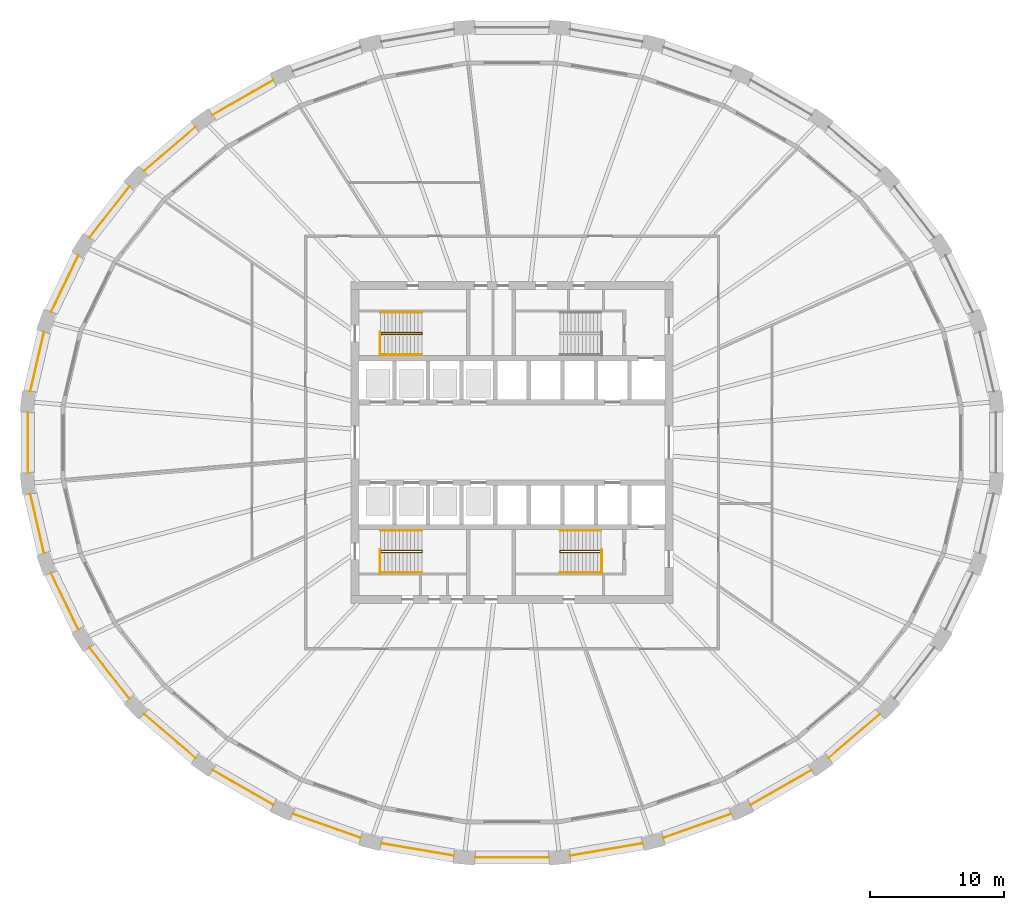
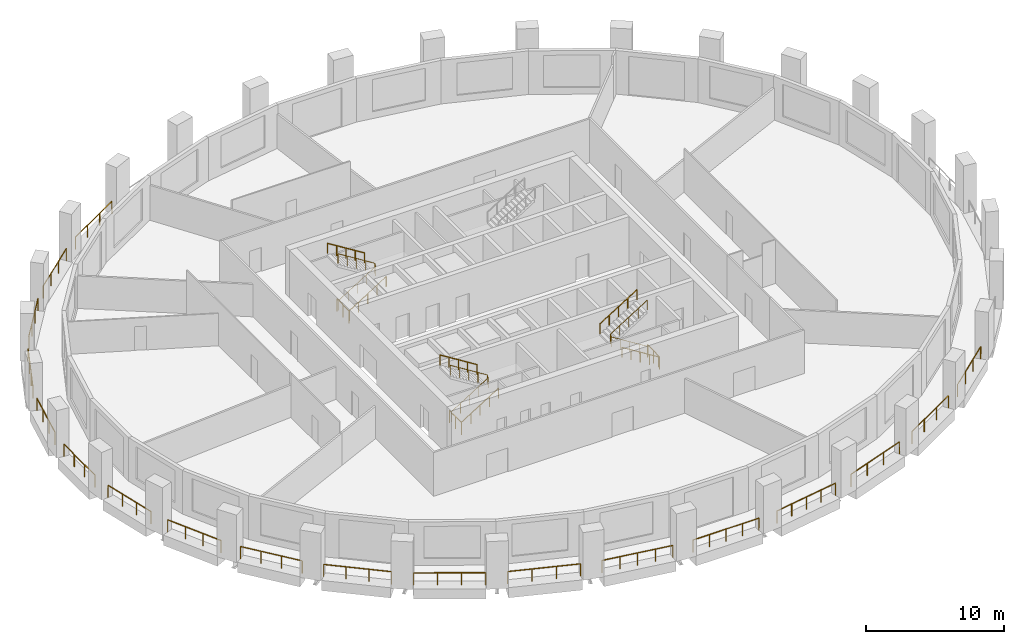
# One storey, part 8 of 10: 30 railings.
"""IFC4 building model written with IfcOpenShell, lengths in metres."""

from ifc_helpers import new_model, si_unit, direction, frame, origin, origin_2d, place, context, subcontext, project, spatial, circle, extrude, material, type_object, element, save


model = new_model("IFC4")

# Units and contexts
model_context = context("Model", 3, precision=1e-05, world=origin(), true_north=direction((0.0, 1.0)))
body_context = subcontext(model_context, "Body", "Model", "MODEL_VIEW")
ifc_project = project(units=[si_unit("LENGTHUNIT", "METRE"), si_unit("AREAUNIT", "SQUARE_METRE"), si_unit("VOLUMEUNIT", "CUBIC_METRE"), si_unit("PLANEANGLEUNIT", "RADIAN"), si_unit("MASSUNIT", "GRAM", prefix="KILO")], contexts=[model_context])

# Site, building, storey
site_placement = place(None, origin())
site = spatial("IfcSite", under=ifc_project, at=site_placement, CompositionType="ELEMENT")
building_placement = place(site_placement, origin())
building = spatial("IfcBuilding", under=site, at=building_placement, Name="Halqa Exchange Tower", CompositionType="ELEMENT")
storey_placement = place(building_placement, frame((0.0, 0.0, 94.89990234375)))
storey = spatial("IfcBuildingStorey", under=building, at=storey_placement, Name="L21", CompositionType="ELEMENT", Elevation=94.89990234375)

# Railings
ifc_material = material(Name="Stainless steel", Category="steel")
railing_type_1 = type_object("IfcRailingType", Name="Guard 1100 stainless steel", PredefinedType="GUARDRAIL", material=ifc_material)
railing_1_placement = place(storey_placement, frame((-17.801025390625, 27.034912109375, 0.0)))
element("IfcRailing", 1, at=railing_1_placement, inside=storey, type_object=railing_type_1, Name="Loggia guard 11", PredefinedType="GUARDRAIL", context=body_context, shape_type="SweptSolid", body=[
    extrude(circle(Radius=0.02392578125, at=origin_2d()), frame((0.0, 0.0, 1.076171875), z_axis=(-0.867755983437, -0.496990496096, 0.0), x_axis=(0.496990496096, -0.867755983437, 0.0)), (0.0, 0.0, 1.0), 5.216552734375),
    extrude(circle(Radius=0.02099609375, at=origin_2d()), origin(), (0.0, 0.0, 1.0), 1.052001953125),
    extrude(circle(Radius=0.02099609375, at=origin_2d()), frame((-1.5087890625, -0.8642578125, 0.0)), (0.0, 0.0, 1.0), 1.052001953125),
    extrude(circle(Radius=0.02099609375, at=origin_2d()), frame((-3.017822265625, -1.728271484375, 0.0)), (0.0, 0.0, 1.0), 1.052001953125),
    extrude(circle(Radius=0.02099609375, at=origin_2d()), frame((-4.526611328125, -2.592529296875, 0.0)), (0.0, 0.0, 1.0), 1.052001953125),
])
railing_2_placement = place(storey_placement, frame((-23.629150390625, 23.524169921875, 0.0)))
element("IfcRailing", 2, at=railing_2_placement, inside=storey, type_object=railing_type_1, Name="Loggia guard 12", PredefinedType="GUARDRAIL", context=body_context, shape_type="SweptSolid", body=[
    extrude(circle(Radius=0.02392578125, at=origin_2d()), frame((0.0, 0.0, 1.076171875), z_axis=(-0.759263460736, -0.650783371938, 0.0), x_axis=(0.650783371938, -0.759263460736, 0.0)), (0.0, 0.0, 1.0), 5.025390625),
    extrude(circle(Radius=0.02099609375, at=origin_2d()), origin(), (0.0, 0.0, 1.0), 1.052001953125),
    extrude(circle(Radius=0.02099609375, at=origin_2d()), frame((-1.27197265625, -1.090087890625, 0.0)), (0.0, 0.0, 1.0), 1.052001953125),
    extrude(circle(Radius=0.02099609375, at=origin_2d()), frame((-2.543701171875, -2.180419921875, 0.0)), (0.0, 0.0, 1.0), 1.052001953125),
    extrude(circle(Radius=0.02099609375, at=origin_2d()), frame((-3.815673828125, -3.2705078125, 0.0)), (0.0, 0.0, 1.0), 1.052001953125),
])
railing_3_placement = place(storey_placement, frame((-28.5439453125, 19.10205078125, 0.0)))
element("IfcRailing", 3, at=railing_3_placement, inside=storey, type_object=railing_type_1, Name="Loggia guard 13", PredefinedType="GUARDRAIL", context=body_context, shape_type="SweptSolid", body=[
    extrude(circle(Radius=0.02392578125, at=origin_2d()), frame((0.0, 0.0, 1.076171875), z_axis=(-0.614804814525, -0.788679301133, 0.0), x_axis=(0.788679301133, -0.614804814525, 0.0)), (0.0, 0.0, 1.0), 4.828857421875),
    extrude(circle(Radius=0.02099609375, at=origin_2d()), origin(), (0.0, 0.0, 1.0), 1.052001953125),
    extrude(circle(Radius=0.02099609375, at=origin_2d()), frame((-0.989501953125, -1.26953125, 0.0)), (0.0, 0.0, 1.0), 1.052001953125),
    extrude(circle(Radius=0.02099609375, at=origin_2d()), frame((-1.979248046875, -2.538818359375, 0.0)), (0.0, 0.0, 1.0), 1.052001953125),
    extrude(circle(Radius=0.02099609375, at=origin_2d()), frame((-2.96875, -3.808349609375, 0.0)), (0.0, 0.0, 1.0), 1.052001953125),
])
railing_4_placement = place(storey_placement, frame((-32.3525390625, 13.942626953125, 0.0)))
element("IfcRailing", 4, at=railing_4_placement, inside=storey, type_object=railing_type_1, Name="Loggia guard 14", PredefinedType="GUARDRAIL", context=body_context, shape_type="SweptSolid", body=[
    extrude(circle(Radius=0.02392578125, at=origin_2d()), frame((0.0, 0.0, 1.076171875), z_axis=(-0.435136078438, -0.900364700131, 0.0), x_axis=(0.900364700131, -0.435136078438, 0.0)), (0.0, 0.0, 1.0), 4.65673828125),
    extrude(circle(Radius=0.02099609375, at=origin_2d()), origin(), (0.0, 0.0, 1.0), 1.052001953125),
    extrude(circle(Radius=0.02099609375, at=origin_2d()), frame((-0.675537109375, -1.397705078125, 0.0)), (0.0, 0.0, 1.0), 1.052001953125),
    extrude(circle(Radius=0.02099609375, at=origin_2d()), frame((-1.350830078125, -2.795166015625, 0.0)), (0.0, 0.0, 1.0), 1.052001953125),
    extrude(circle(Radius=0.02099609375, at=origin_2d()), frame((-2.0263671875, -4.19287109375, 0.0)), (0.0, 0.0, 1.0), 1.052001953125),
])
railing_5_placement = place(storey_placement, frame((-34.90771484375, 8.25, 0.0)))
element("IfcRailing", 5, at=railing_5_placement, inside=storey, type_object=railing_type_1, Name="Loggia guard 15", PredefinedType="GUARDRAIL", context=body_context, shape_type="SweptSolid", body=[
    extrude(circle(Radius=0.02392578125, at=origin_2d()), frame((0.0, 0.0, 1.076171875), z_axis=(-0.226049512148, -0.974115813473, 0.0), x_axis=(0.974115813473, -0.226049512148, 0.0)), (0.0, 0.0, 1.0), 4.539306640625),
    extrude(circle(Radius=0.02099609375, at=origin_2d()), origin(), (0.0, 0.0, 1.0), 1.052001953125),
    extrude(circle(Radius=0.02099609375, at=origin_2d()), frame((-0.342041015625, -1.473876953125, 0.0)), (0.0, 0.0, 1.0), 1.052001953125),
    extrude(circle(Radius=0.02099609375, at=origin_2d()), frame((-0.68408203125, -2.947998046875, 0.0)), (0.0, 0.0, 1.0), 1.052001953125),
    extrude(circle(Radius=0.02099609375, at=origin_2d()), frame((-1.026123046875, -4.421875, 0.0)), (0.0, 0.0, 1.0), 1.052001953125),
])
railing_6_placement = place(storey_placement, frame((-36.11474609375, 2.248779296875, 0.0)))
element("IfcRailing", 6, at=railing_6_placement, inside=storey, type_object=railing_type_1, Name="Loggia guard 16", PredefinedType="GUARDRAIL", context=body_context, shape_type="SweptSolid", body=[
    extrude(circle(Radius=0.02392578125, at=origin_2d()), frame((0.0, 0.0, 1.076171875), z_axis=(0.0, -1.0, 0.0), x_axis=(1.0, 0.0, 0.0)), (0.0, 0.0, 1.0), 4.49755859375),
    extrude(circle(Radius=0.02099609375, at=origin_2d()), origin(), (0.0, 0.0, 1.0), 1.052001953125),
    extrude(circle(Radius=0.02099609375, at=origin_2d()), frame((0.0, -1.499267578125, 0.0)), (0.0, 0.0, 1.0), 1.052001953125),
    extrude(circle(Radius=0.02099609375, at=origin_2d()), frame((0.0, -2.998291015625, 0.0)), (0.0, 0.0, 1.0), 1.052001953125),
    extrude(circle(Radius=0.02099609375, at=origin_2d()), frame((0.0, -4.49755859375, 0.0)), (0.0, 0.0, 1.0), 1.052001953125),
])
railing_7_placement = place(storey_placement, frame((-35.933837890625, -3.828125, 0.0)))
element("IfcRailing", 7, at=railing_7_placement, inside=storey, type_object=railing_type_1, Name="Loggia guard 17", PredefinedType="GUARDRAIL", context=body_context, shape_type="SweptSolid", body=[
    extrude(circle(Radius=0.02392578125, at=origin_2d()), frame((0.0, 0.0, 1.076171875), z_axis=(0.226049512148, -0.974115813473, 0.0), x_axis=(0.974115813473, 0.226049512148, 0.0)), (0.0, 0.0, 1.0), 4.539306640625),
    extrude(circle(Radius=0.02099609375, at=origin_2d()), origin(), (0.0, 0.0, 1.0), 1.052001953125),
    extrude(circle(Radius=0.02099609375, at=origin_2d()), frame((0.342041015625, -1.473876953125, 0.0)), (0.0, 0.0, 1.0), 1.052001953125),
    extrude(circle(Radius=0.02099609375, at=origin_2d()), frame((0.68408203125, -2.947998046875, 0.0)), (0.0, 0.0, 1.0), 1.052001953125),
    extrude(circle(Radius=0.02099609375, at=origin_2d()), frame((1.026123046875, -4.421875, 0.0)), (0.0, 0.0, 1.0), 1.052001953125),
])
railing_8_placement = place(storey_placement, frame((-34.37890625, -9.749755859375, 0.0)))
element("IfcRailing", 8, at=railing_8_placement, inside=storey, type_object=railing_type_1, Name="Loggia guard 18", PredefinedType="GUARDRAIL", context=body_context, shape_type="SweptSolid", body=[
    extrude(circle(Radius=0.02392578125, at=origin_2d()), frame((0.0, 0.0, 1.076171875), z_axis=(0.435136078438, -0.900364700131, 0.0), x_axis=(0.900364700131, 0.435136078438, 0.0)), (0.0, 0.0, 1.0), 4.65673828125),
    extrude(circle(Radius=0.02099609375, at=origin_2d()), origin(), (0.0, 0.0, 1.0), 1.052001953125),
    extrude(circle(Radius=0.02099609375, at=origin_2d()), frame((0.675537109375, -1.397705078125, 0.0)), (0.0, 0.0, 1.0), 1.052001953125),
    extrude(circle(Radius=0.02099609375, at=origin_2d()), frame((1.350830078125, -2.795166015625, 0.0)), (0.0, 0.0, 1.0), 1.052001953125),
    extrude(circle(Radius=0.02099609375, at=origin_2d()), frame((2.0263671875, -4.19287109375, 0.0)), (0.0, 0.0, 1.0), 1.052001953125),
])
railing_9_placement = place(storey_placement, frame((-31.5126953125, -15.293701171875, 0.0)))
element("IfcRailing", 9, at=railing_9_placement, inside=storey, type_object=railing_type_1, Name="Loggia guard 19", PredefinedType="GUARDRAIL", context=body_context, shape_type="SweptSolid", body=[
    extrude(circle(Radius=0.02392578125, at=origin_2d()), frame((0.0, 0.0, 1.076171875), z_axis=(0.614804814525, -0.788679301133, 0.0), x_axis=(0.788679301133, 0.614804814525, 0.0)), (0.0, 0.0, 1.0), 4.828857421875),
    extrude(circle(Radius=0.02099609375, at=origin_2d()), origin(), (0.0, 0.0, 1.0), 1.052001953125),
    extrude(circle(Radius=0.02099609375, at=origin_2d()), frame((0.989501953125, -1.26953125, 0.0)), (0.0, 0.0, 1.0), 1.052001953125),
    extrude(circle(Radius=0.02099609375, at=origin_2d()), frame((1.979248046875, -2.538818359375, 0.0)), (0.0, 0.0, 1.0), 1.052001953125),
    extrude(circle(Radius=0.02099609375, at=origin_2d()), frame((2.96875, -3.808349609375, 0.0)), (0.0, 0.0, 1.0), 1.052001953125),
])
railing_10_placement = place(storey_placement, frame((-27.44482421875, -20.253662109375, 0.0)))
element("IfcRailing", 10, at=railing_10_placement, inside=storey, type_object=railing_type_1, Name="Loggia guard 20", PredefinedType="GUARDRAIL", context=body_context, shape_type="SweptSolid", body=[
    extrude(circle(Radius=0.02392578125, at=origin_2d()), frame((0.0, 0.0, 1.076171875), z_axis=(0.759263460736, -0.650783371938, 0.0), x_axis=(0.650783371938, 0.759263460736, 0.0)), (0.0, 0.0, 1.0), 5.025390625),
    extrude(circle(Radius=0.02099609375, at=origin_2d()), origin(), (0.0, 0.0, 1.0), 1.052001953125),
    extrude(circle(Radius=0.02099609375, at=origin_2d()), frame((1.27197265625, -1.090087890625, 0.0)), (0.0, 0.0, 1.0), 1.052001953125),
    extrude(circle(Radius=0.02099609375, at=origin_2d()), frame((2.543701171875, -2.180419921875, 0.0)), (0.0, 0.0, 1.0), 1.052001953125),
    extrude(circle(Radius=0.02099609375, at=origin_2d()), frame((3.815673828125, -3.2705078125, 0.0)), (0.0, 0.0, 1.0), 1.052001953125),
])
railing_11_placement = place(storey_placement, frame((-22.32763671875, -24.4423828125, 0.0)))
element("IfcRailing", 11, at=railing_11_placement, inside=storey, type_object=railing_type_1, Name="Loggia guard 21", PredefinedType="GUARDRAIL", context=body_context, shape_type="SweptSolid", body=[
    extrude(circle(Radius=0.02392578125, at=origin_2d()), frame((0.0, 0.0, 1.076171875), z_axis=(0.867755983437, -0.496990496096, 0.0), x_axis=(0.496990496096, 0.867755983437, 0.0)), (0.0, 0.0, 1.0), 5.216552734375),
    extrude(circle(Radius=0.02099609375, at=origin_2d()), origin(), (0.0, 0.0, 1.0), 1.052001953125),
    extrude(circle(Radius=0.02099609375, at=origin_2d()), frame((1.5087890625, -0.8642578125, 0.0)), (0.0, 0.0, 1.0), 1.052001953125),
    extrude(circle(Radius=0.02099609375, at=origin_2d()), frame((3.017822265625, -1.728271484375, 0.0)), (0.0, 0.0, 1.0), 1.052001953125),
    extrude(circle(Radius=0.02099609375, at=origin_2d()), frame((4.526611328125, -2.592529296875, 0.0)), (0.0, 0.0, 1.0), 1.052001953125),
])
railing_12_placement = place(storey_placement, frame((-16.352783203125, -27.7001953125, 0.0)))
element("IfcRailing", 12, at=railing_12_placement, inside=storey, type_object=railing_type_1, Name="Loggia guard 22", PredefinedType="GUARDRAIL", context=body_context, shape_type="SweptSolid", body=[
    extrude(circle(Radius=0.02392578125, at=origin_2d()), frame((0.0, 0.0, 1.076171875), z_axis=(0.942372313915, -0.334566020341, 0.0), x_axis=(0.334566020341, 0.942372313915, 0.0)), (0.0, 0.0, 1.0), 5.37451171875),
    extrude(circle(Radius=0.02099609375, at=origin_2d()), origin(), (0.0, 0.0, 1.0), 1.052001953125),
    extrude(circle(Radius=0.02099609375, at=origin_2d()), frame((1.688232421875, -0.599365234375, 0.0)), (0.0, 0.0, 1.0), 1.052001953125),
    extrude(circle(Radius=0.02099609375, at=origin_2d()), frame((3.37646484375, -1.19873046875, 0.0)), (0.0, 0.0, 1.0), 1.052001953125),
    extrude(circle(Radius=0.02099609375, at=origin_2d()), frame((5.064697265625, -1.798095703125, 0.0)), (0.0, 0.0, 1.0), 1.052001953125),
])
railing_13_placement = place(storey_placement, frame((-9.74560546875, -29.900390625, 0.0)))
element("IfcRailing", 13, at=railing_13_placement, inside=storey, type_object=railing_type_1, Name="Loggia guard 23", PredefinedType="GUARDRAIL", context=body_context, shape_type="SweptSolid", body=[
    extrude(circle(Radius=0.02392578125, at=origin_2d()), frame((0.0, 0.0, 1.076171875), z_axis=(0.985775171727, -0.168069363079, 0.0), x_axis=(0.168069363079, 0.985775171727, 0.0)), (0.0, 0.0, 1.0), 5.477783203125),
    extrude(circle(Radius=0.02099609375, at=origin_2d()), origin(), (0.0, 0.0, 1.0), 1.052001953125),
    extrude(circle(Radius=0.02099609375, at=origin_2d()), frame((1.35009765625, -0.230224609375, 0.0)), (0.0, 0.0, 1.0), 1.052001953125),
    extrude(circle(Radius=0.02099609375, at=origin_2d()), frame((2.699951171875, -0.46044921875, 0.0)), (0.0, 0.0, 1.0), 1.052001953125),
    extrude(circle(Radius=0.02099609375, at=origin_2d()), frame((4.0498046875, -0.6904296875, 0.0)), (0.0, 0.0, 1.0), 1.052001953125),
    extrude(circle(Radius=0.02099609375, at=origin_2d()), frame((5.39990234375, -0.920654296875, 0.0)), (0.0, 0.0, 1.0), 1.052001953125),
])
railing_14_placement = place(storey_placement, frame((-2.757080078125, -30.95556640625, 0.0)))
element("IfcRailing", 14, at=railing_14_placement, inside=storey, type_object=railing_type_1, Name="Loggia guard 24", PredefinedType="GUARDRAIL", context=body_context, shape_type="SweptSolid", body=[
    extrude(circle(Radius=0.02392578125, at=origin_2d()), frame((0.0, 0.0, 1.076171875), z_axis=(1.0, 0.0, 0.0), x_axis=(0.0, 1.0, 0.0)), (0.0, 0.0, 1.0), 5.51416015625),
    extrude(circle(Radius=0.02099609375, at=origin_2d()), origin(), (0.0, 0.0, 1.0), 1.052001953125),
    extrude(circle(Radius=0.02099609375, at=origin_2d()), frame((1.37841796875, 0.0, 0.0)), (0.0, 0.0, 1.0), 1.052001953125),
    extrude(circle(Radius=0.02099609375, at=origin_2d()), frame((2.757080078125, 0.0, 0.0)), (0.0, 0.0, 1.0), 1.052001953125),
    extrude(circle(Radius=0.02099609375, at=origin_2d()), frame((4.1357421875, 0.0, 0.0)), (0.0, 0.0, 1.0), 1.052001953125),
    extrude(circle(Radius=0.02099609375, at=origin_2d()), frame((5.51416015625, 0.0, 0.0)), (0.0, 0.0, 1.0), 1.052001953125),
])
railing_15_placement = place(storey_placement, frame((4.345703125, -30.821044921875, 0.0)))
element("IfcRailing", 15, at=railing_15_placement, inside=storey, type_object=railing_type_1, Name="Loggia guard 25", PredefinedType="GUARDRAIL", context=body_context, shape_type="SweptSolid", body=[
    extrude(circle(Radius=0.02392578125, at=origin_2d()), frame((0.0, 0.0, 1.076171875), z_axis=(0.985775171727, 0.168069363079, 0.0), x_axis=(-0.168069363079, 0.985775171727, 0.0)), (0.0, 0.0, 1.0), 5.477783203125),
    extrude(circle(Radius=0.02099609375, at=origin_2d()), origin(), (0.0, 0.0, 1.0), 1.052001953125),
    extrude(circle(Radius=0.02099609375, at=origin_2d()), frame((1.35009765625, 0.230224609375, 0.0)), (0.0, 0.0, 1.0), 1.052001953125),
    extrude(circle(Radius=0.02099609375, at=origin_2d()), frame((2.699951171875, 0.46044921875, 0.0)), (0.0, 0.0, 1.0), 1.052001953125),
    extrude(circle(Radius=0.02099609375, at=origin_2d()), frame((4.0498046875, 0.6904296875, 0.0)), (0.0, 0.0, 1.0), 1.052001953125),
    extrude(circle(Radius=0.02099609375, at=origin_2d()), frame((5.39990234375, 0.920654296875, 0.0)), (0.0, 0.0, 1.0), 1.052001953125),
])
railing_16_placement = place(storey_placement, frame((11.2880859375, -29.498291015625, 0.0)))
element("IfcRailing", 16, at=railing_16_placement, inside=storey, type_object=railing_type_1, Name="Loggia guard 26", PredefinedType="GUARDRAIL", context=body_context, shape_type="SweptSolid", body=[
    extrude(circle(Radius=0.02392578125, at=origin_2d()), frame((0.0, 0.0, 1.076171875), z_axis=(0.942372313915, 0.334566020341, 0.0), x_axis=(-0.334566020341, 0.942372313915, 0.0)), (0.0, 0.0, 1.0), 5.37451171875),
    extrude(circle(Radius=0.02099609375, at=origin_2d()), origin(), (0.0, 0.0, 1.0), 1.052001953125),
    extrude(circle(Radius=0.02099609375, at=origin_2d()), frame((1.688232421875, 0.599365234375, 0.0)), (0.0, 0.0, 1.0), 1.052001953125),
    extrude(circle(Radius=0.02099609375, at=origin_2d()), frame((3.37646484375, 1.19873046875, 0.0)), (0.0, 0.0, 1.0), 1.052001953125),
    extrude(circle(Radius=0.02099609375, at=origin_2d()), frame((5.064697265625, 1.798095703125, 0.0)), (0.0, 0.0, 1.0), 1.052001953125),
])
railing_17_placement = place(storey_placement, frame((17.801025390625, -27.034912109375, 0.0)))
element("IfcRailing", 17, at=railing_17_placement, inside=storey, type_object=railing_type_1, Name="Loggia guard 27", PredefinedType="GUARDRAIL", context=body_context, shape_type="SweptSolid", body=[
    extrude(circle(Radius=0.02392578125, at=origin_2d()), frame((0.0, 0.0, 1.076171875), z_axis=(0.867755983437, 0.496990496096, 0.0), x_axis=(-0.496990496096, 0.867755983437, 0.0)), (0.0, 0.0, 1.0), 5.216552734375),
    extrude(circle(Radius=0.02099609375, at=origin_2d()), origin(), (0.0, 0.0, 1.0), 1.052001953125),
    extrude(circle(Radius=0.02099609375, at=origin_2d()), frame((1.5087890625, 0.8642578125, 0.0)), (0.0, 0.0, 1.0), 1.052001953125),
    extrude(circle(Radius=0.02099609375, at=origin_2d()), frame((3.017822265625, 1.728271484375, 0.0)), (0.0, 0.0, 1.0), 1.052001953125),
    extrude(circle(Radius=0.02099609375, at=origin_2d()), frame((4.526611328125, 2.592529296875, 0.0)), (0.0, 0.0, 1.0), 1.052001953125),
])
railing_18_placement = place(storey_placement, frame((23.629150390625, -23.524169921875, 0.0)))
element("IfcRailing", 18, at=railing_18_placement, inside=storey, type_object=railing_type_1, Name="Loggia guard 28", PredefinedType="GUARDRAIL", context=body_context, shape_type="SweptSolid", body=[
    extrude(circle(Radius=0.02392578125, at=origin_2d()), frame((0.0, 0.0, 1.076171875), z_axis=(0.759263460736, 0.650783371938, 0.0), x_axis=(-0.650783371938, 0.759263460736, 0.0)), (0.0, 0.0, 1.0), 5.025390625),
    extrude(circle(Radius=0.02099609375, at=origin_2d()), origin(), (0.0, 0.0, 1.0), 1.052001953125),
    extrude(circle(Radius=0.02099609375, at=origin_2d()), frame((1.27197265625, 1.090087890625, 0.0)), (0.0, 0.0, 1.0), 1.052001953125),
    extrude(circle(Radius=0.02099609375, at=origin_2d()), frame((2.543701171875, 2.180419921875, 0.0)), (0.0, 0.0, 1.0), 1.052001953125),
    extrude(circle(Radius=0.02099609375, at=origin_2d()), frame((3.815673828125, 3.2705078125, 0.0)), (0.0, 0.0, 1.0), 1.052001953125),
])
railing_type_2 = type_object("IfcRailingType", Name="Stair handrail 900", PredefinedType="HANDRAIL", material=ifc_material)
railing_19_placement = place(storey_placement, frame((-9.800048828125, 8.06005859375, 0.175048828125)))
element("IfcRailing", 19, at=railing_19_placement, inside=storey, type_object=railing_type_2, Name="Handrail ST1.1", PredefinedType="HANDRAIL", context=body_context, shape_type="SweptSolid", body=[
    extrude(circle(Radius=0.02392578125, at=origin_2d()), frame((0.0, 0.0, 0.8759765625), z_axis=(0.847998304005, 0.0, 0.529998940003), x_axis=(0.0, 1.0, 0.0)), (0.0, 0.0, 1.0), 3.632080078125),
    extrude(circle(Radius=0.02392578125, at=origin_2d()), frame((3.080078125, 0.0, 2.80078125), z_axis=(0.0, 0.595870227118, 0.803080738428), x_axis=(-1.0, 0.0, 0.0)), (0.0, 0.0, 1.0), 0.218017578125),
    extrude(circle(Radius=0.02392578125, at=origin_2d()), frame((3.080078125, 0.1298828125, 2.97607421875), z_axis=(-0.847998304005, 0.0, 0.529998940003), x_axis=(0.0, -1.0, 0.0)), (0.0, 0.0, 1.0), 3.632080078125),
    extrude(circle(Radius=0.02099609375, at=origin_2d()), origin(), (0.0, 0.0, 1.0), 0.851806640625),
    extrude(circle(Radius=0.02099609375, at=origin_2d()), frame((0.77001953125, 0.0, 0.481201171875)), (0.0, 0.0, 1.0), 0.851806640625),
    extrude(circle(Radius=0.02099609375, at=origin_2d()), frame((1.5400390625, 0.0, 0.96240234375)), (0.0, 0.0, 1.0), 0.851806640625),
    extrude(circle(Radius=0.02099609375, at=origin_2d()), frame((2.31005859375, 0.0, 1.44384765625)), (0.0, 0.0, 1.0), 0.851806640625),
    extrude(circle(Radius=0.02099609375, at=origin_2d()), frame((3.080078125, 0.0, 1.925048828125)), (0.0, 0.0, 1.0), 0.851806640625),
    extrude(circle(Radius=0.02099609375, at=origin_2d()), frame((3.080078125, 0.1298828125, 2.10009765625)), (0.0, 0.0, 1.0), 0.851806640625),
    extrude(circle(Radius=0.02099609375, at=origin_2d()), frame((2.31005859375, 0.1298828125, 2.581298828125)), (0.0, 0.0, 1.0), 0.851806640625),
    extrude(circle(Radius=0.02099609375, at=origin_2d()), frame((1.5400390625, 0.1298828125, 3.0625)), (0.0, 0.0, 1.0), 0.851806640625),
    extrude(circle(Radius=0.02099609375, at=origin_2d()), frame((0.77001953125, 0.1298828125, 3.5439453125)), (0.0, 0.0, 1.0), 0.851806640625),
    extrude(circle(Radius=0.02099609375, at=origin_2d()), frame((0.0, 0.1298828125, 4.025146484375)), (0.0, 0.0, 1.0), 0.851806640625),
])
railing_20_placement = place(storey_placement, frame((-9.800048828125, 6.550048828125, 0.175048828125)))
element("IfcRailing", 20, at=railing_20_placement, inside=storey, type_object=railing_type_2, Name="Handrail ST1.2", PredefinedType="HANDRAIL", context=body_context, shape_type="SweptSolid", body=[
    extrude(circle(Radius=0.02392578125, at=origin_2d()), frame((0.0, 0.0, 0.8759765625), z_axis=(0.847998304005, 0.0, 0.529998940003), x_axis=(0.0, 1.0, 0.0)), (0.0, 0.0, 1.0), 3.632080078125),
    extrude(circle(Radius=0.02099609375, at=origin_2d()), origin(), (0.0, 0.0, 1.0), 0.851806640625),
    extrude(circle(Radius=0.02099609375, at=origin_2d()), frame((0.77001953125, 0.0, 0.481201171875)), (0.0, 0.0, 1.0), 0.851806640625),
    extrude(circle(Radius=0.02099609375, at=origin_2d()), frame((1.5400390625, 0.0, 0.96240234375)), (0.0, 0.0, 1.0), 0.851806640625),
    extrude(circle(Radius=0.02099609375, at=origin_2d()), frame((2.31005859375, 0.0, 1.44384765625)), (0.0, 0.0, 1.0), 0.851806640625),
    extrude(circle(Radius=0.02099609375, at=origin_2d()), frame((3.080078125, 0.0, 1.925048828125)), (0.0, 0.0, 1.0), 0.851806640625),
])
railing_21_placement = place(storey_placement, frame((-6.719970703125, 9.699951171875, 2.275146484375)))
element("IfcRailing", 21, at=railing_21_placement, inside=storey, type_object=railing_type_2, Name="Handrail ST1.3", PredefinedType="HANDRAIL", context=body_context, shape_type="SweptSolid", body=[
    extrude(circle(Radius=0.02392578125, at=origin_2d()), frame((0.0, 0.0, 0.8759765625), z_axis=(-0.847998304005, 0.0, 0.529998940003), x_axis=(0.0, -1.0, 0.0)), (0.0, 0.0, 1.0), 3.632080078125),
    extrude(circle(Radius=0.02099609375, at=origin_2d()), origin(), (0.0, 0.0, 1.0), 0.851806640625),
    extrude(circle(Radius=0.02099609375, at=origin_2d()), frame((-0.77001953125, 0.0, 0.481201171875)), (0.0, 0.0, 1.0), 0.851806640625),
    extrude(circle(Radius=0.02099609375, at=origin_2d()), frame((-1.5400390625, 0.0, 0.96240234375)), (0.0, 0.0, 1.0), 0.851806640625),
    extrude(circle(Radius=0.02099609375, at=origin_2d()), frame((-2.31005859375, 0.0, 1.44384765625)), (0.0, 0.0, 1.0), 0.851806640625),
    extrude(circle(Radius=0.02099609375, at=origin_2d()), frame((-3.080078125, 0.0, 1.925048828125)), (0.0, 0.0, 1.0), 0.851806640625),
])
railing_22_placement = place(storey_placement, frame((-9.800048828125, -8.18994140625, 0.175048828125)))
element("IfcRailing", 22, at=railing_22_placement, inside=storey, type_object=railing_type_2, Name="Handrail ST3.1", PredefinedType="HANDRAIL", context=body_context, shape_type="SweptSolid", body=[
    extrude(circle(Radius=0.02392578125, at=origin_2d()), frame((0.0, 0.0, 0.8759765625), z_axis=(0.847998304005, 0.0, 0.529998940003), x_axis=(0.0, 1.0, 0.0)), (0.0, 0.0, 1.0), 3.632080078125),
    extrude(circle(Radius=0.02392578125, at=origin_2d()), frame((3.080078125, 0.0, 2.80078125), z_axis=(0.0, 0.595870227118, 0.803080738428), x_axis=(-1.0, 0.0, 0.0)), (0.0, 0.0, 1.0), 0.218017578125),
    extrude(circle(Radius=0.02392578125, at=origin_2d()), frame((3.080078125, 0.1298828125, 2.97607421875), z_axis=(-0.847998304005, 0.0, 0.529998940003), x_axis=(0.0, -1.0, 0.0)), (0.0, 0.0, 1.0), 3.632080078125),
    extrude(circle(Radius=0.02099609375, at=origin_2d()), origin(), (0.0, 0.0, 1.0), 0.851806640625),
    extrude(circle(Radius=0.02099609375, at=origin_2d()), frame((0.77001953125, 0.0, 0.481201171875)), (0.0, 0.0, 1.0), 0.851806640625),
    extrude(circle(Radius=0.02099609375, at=origin_2d()), frame((1.5400390625, 0.0, 0.96240234375)), (0.0, 0.0, 1.0), 0.851806640625),
    extrude(circle(Radius=0.02099609375, at=origin_2d()), frame((2.31005859375, 0.0, 1.44384765625)), (0.0, 0.0, 1.0), 0.851806640625),
    extrude(circle(Radius=0.02099609375, at=origin_2d()), frame((3.080078125, 0.0, 1.925048828125)), (0.0, 0.0, 1.0), 0.851806640625),
    extrude(circle(Radius=0.02099609375, at=origin_2d()), frame((3.080078125, 0.1298828125, 2.10009765625)), (0.0, 0.0, 1.0), 0.851806640625),
    extrude(circle(Radius=0.02099609375, at=origin_2d()), frame((2.31005859375, 0.1298828125, 2.581298828125)), (0.0, 0.0, 1.0), 0.851806640625),
    extrude(circle(Radius=0.02099609375, at=origin_2d()), frame((1.5400390625, 0.1298828125, 3.0625)), (0.0, 0.0, 1.0), 0.851806640625),
    extrude(circle(Radius=0.02099609375, at=origin_2d()), frame((0.77001953125, 0.1298828125, 3.5439453125)), (0.0, 0.0, 1.0), 0.851806640625),
    extrude(circle(Radius=0.02099609375, at=origin_2d()), frame((0.0, 0.1298828125, 4.025146484375)), (0.0, 0.0, 1.0), 0.851806640625),
])
railing_23_placement = place(storey_placement, frame((-9.800048828125, -9.699951171875, 0.175048828125)))
element("IfcRailing", 23, at=railing_23_placement, inside=storey, type_object=railing_type_2, Name="Handrail ST3.2", PredefinedType="HANDRAIL", context=body_context, shape_type="SweptSolid", body=[
    extrude(circle(Radius=0.02392578125, at=origin_2d()), frame((0.0, 0.0, 0.8759765625), z_axis=(0.847998304005, 0.0, 0.529998940003), x_axis=(0.0, 1.0, 0.0)), (0.0, 0.0, 1.0), 3.632080078125),
    extrude(circle(Radius=0.02099609375, at=origin_2d()), origin(), (0.0, 0.0, 1.0), 0.851806640625),
    extrude(circle(Radius=0.02099609375, at=origin_2d()), frame((0.77001953125, 0.0, 0.481201171875)), (0.0, 0.0, 1.0), 0.851806640625),
    extrude(circle(Radius=0.02099609375, at=origin_2d()), frame((1.5400390625, 0.0, 0.96240234375)), (0.0, 0.0, 1.0), 0.851806640625),
    extrude(circle(Radius=0.02099609375, at=origin_2d()), frame((2.31005859375, 0.0, 1.44384765625)), (0.0, 0.0, 1.0), 0.851806640625),
    extrude(circle(Radius=0.02099609375, at=origin_2d()), frame((3.080078125, 0.0, 1.925048828125)), (0.0, 0.0, 1.0), 0.851806640625),
])
railing_24_placement = place(storey_placement, frame((-6.719970703125, -6.550048828125, 2.275146484375)))
element("IfcRailing", 24, at=railing_24_placement, inside=storey, type_object=railing_type_2, Name="Handrail ST3.3", PredefinedType="HANDRAIL", context=body_context, shape_type="SweptSolid", body=[
    extrude(circle(Radius=0.02392578125, at=origin_2d()), frame((0.0, 0.0, 0.8759765625), z_axis=(-0.847998304005, 0.0, 0.529998940003), x_axis=(0.0, -1.0, 0.0)), (0.0, 0.0, 1.0), 3.632080078125),
    extrude(circle(Radius=0.02099609375, at=origin_2d()), origin(), (0.0, 0.0, 1.0), 0.851806640625),
    extrude(circle(Radius=0.02099609375, at=origin_2d()), frame((-0.77001953125, 0.0, 0.481201171875)), (0.0, 0.0, 1.0), 0.851806640625),
    extrude(circle(Radius=0.02099609375, at=origin_2d()), frame((-1.5400390625, 0.0, 0.96240234375)), (0.0, 0.0, 1.0), 0.851806640625),
    extrude(circle(Radius=0.02099609375, at=origin_2d()), frame((-2.31005859375, 0.0, 1.44384765625)), (0.0, 0.0, 1.0), 0.851806640625),
    extrude(circle(Radius=0.02099609375, at=origin_2d()), frame((-3.080078125, 0.0, 1.925048828125)), (0.0, 0.0, 1.0), 0.851806640625),
])
railing_25_placement = place(storey_placement, frame((6.64990234375, -8.18994140625, 0.175048828125)))
element("IfcRailing", 25, at=railing_25_placement, inside=storey, type_object=railing_type_2, Name="Handrail ST4.1", PredefinedType="HANDRAIL", context=body_context, shape_type="SweptSolid", body=[
    extrude(circle(Radius=0.02392578125, at=origin_2d()), frame((0.0, 0.0, 0.8759765625), z_axis=(-0.847979421464, 0.0, 0.530029150871), x_axis=(0.0, -1.0, 0.0)), (0.0, 0.0, 1.0), 3.632080078125),
    extrude(circle(Radius=0.02392578125, at=origin_2d()), frame((-3.079833984375, 0.0, 2.80078125), z_axis=(0.0, 0.595870227118, 0.803080738428), x_axis=(-1.0, 0.0, 0.0)), (0.0, 0.0, 1.0), 0.218017578125),
    extrude(circle(Radius=0.02392578125, at=origin_2d()), frame((-3.079833984375, 0.1298828125, 2.97607421875), z_axis=(0.847979421464, 0.0, 0.530029150871), x_axis=(0.0, 1.0, 0.0)), (0.0, 0.0, 1.0), 3.632080078125),
    extrude(circle(Radius=0.02099609375, at=origin_2d()), origin(), (0.0, 0.0, 1.0), 0.851806640625),
    extrude(circle(Radius=0.02099609375, at=origin_2d()), frame((-0.77001953125, 0.0, 0.481201171875)), (0.0, 0.0, 1.0), 0.851806640625),
    extrude(circle(Radius=0.02099609375, at=origin_2d()), frame((-1.5400390625, 0.0, 0.96240234375)), (0.0, 0.0, 1.0), 0.851806640625),
    extrude(circle(Radius=0.02099609375, at=origin_2d()), frame((-2.309814453125, 0.0, 1.44384765625)), (0.0, 0.0, 1.0), 0.851806640625),
    extrude(circle(Radius=0.02099609375, at=origin_2d()), frame((-3.079833984375, 0.0, 1.925048828125)), (0.0, 0.0, 1.0), 0.851806640625),
    extrude(circle(Radius=0.02099609375, at=origin_2d()), frame((-3.079833984375, 0.1298828125, 2.10009765625)), (0.0, 0.0, 1.0), 0.851806640625),
    extrude(circle(Radius=0.02099609375, at=origin_2d()), frame((-2.309814453125, 0.1298828125, 2.581298828125)), (0.0, 0.0, 1.0), 0.851806640625),
    extrude(circle(Radius=0.02099609375, at=origin_2d()), frame((-1.5400390625, 0.1298828125, 3.0625)), (0.0, 0.0, 1.0), 0.851806640625),
    extrude(circle(Radius=0.02099609375, at=origin_2d()), frame((-0.77001953125, 0.1298828125, 3.5439453125)), (0.0, 0.0, 1.0), 0.851806640625),
    extrude(circle(Radius=0.02099609375, at=origin_2d()), frame((0.0, 0.1298828125, 4.025146484375)), (0.0, 0.0, 1.0), 0.851806640625),
])
railing_26_placement = place(storey_placement, frame((6.64990234375, -9.699951171875, 0.175048828125)))
element("IfcRailing", 26, at=railing_26_placement, inside=storey, type_object=railing_type_2, Name="Handrail ST4.2", PredefinedType="HANDRAIL", context=body_context, shape_type="SweptSolid", body=[
    extrude(circle(Radius=0.02392578125, at=origin_2d()), frame((0.0, 0.0, 0.8759765625), z_axis=(-0.847979421464, 0.0, 0.530029150871), x_axis=(0.0, -1.0, 0.0)), (0.0, 0.0, 1.0), 3.632080078125),
    extrude(circle(Radius=0.02099609375, at=origin_2d()), origin(), (0.0, 0.0, 1.0), 0.851806640625),
    extrude(circle(Radius=0.02099609375, at=origin_2d()), frame((-0.77001953125, 0.0, 0.481201171875)), (0.0, 0.0, 1.0), 0.851806640625),
    extrude(circle(Radius=0.02099609375, at=origin_2d()), frame((-1.5400390625, 0.0, 0.96240234375)), (0.0, 0.0, 1.0), 0.851806640625),
    extrude(circle(Radius=0.02099609375, at=origin_2d()), frame((-2.309814453125, 0.0, 1.44384765625)), (0.0, 0.0, 1.0), 0.851806640625),
    extrude(circle(Radius=0.02099609375, at=origin_2d()), frame((-3.079833984375, 0.0, 1.925048828125)), (0.0, 0.0, 1.0), 0.851806640625),
])
railing_27_placement = place(storey_placement, frame((3.570068359375, -6.550048828125, 2.275146484375)))
element("IfcRailing", 27, at=railing_27_placement, inside=storey, type_object=railing_type_2, Name="Handrail ST4.3", PredefinedType="HANDRAIL", context=body_context, shape_type="SweptSolid", body=[
    extrude(circle(Radius=0.02392578125, at=origin_2d()), frame((0.0, 0.0, 0.8759765625), z_axis=(0.847979421464, 0.0, 0.530029150871), x_axis=(0.0, 1.0, 0.0)), (0.0, 0.0, 1.0), 3.632080078125),
    extrude(circle(Radius=0.02099609375, at=origin_2d()), origin(), (0.0, 0.0, 1.0), 0.851806640625),
    extrude(circle(Radius=0.02099609375, at=origin_2d()), frame((0.77001953125, 0.0, 0.481201171875)), (0.0, 0.0, 1.0), 0.851806640625),
    extrude(circle(Radius=0.02099609375, at=origin_2d()), frame((1.5400390625, 0.0, 0.96240234375)), (0.0, 0.0, 1.0), 0.851806640625),
    extrude(circle(Radius=0.02099609375, at=origin_2d()), frame((2.309814453125, 0.0, 1.44384765625)), (0.0, 0.0, 1.0), 0.851806640625),
    extrude(circle(Radius=0.02099609375, at=origin_2d()), frame((3.079833984375, 0.0, 1.925048828125)), (0.0, 0.0, 1.0), 0.851806640625),
])
railing_type_3 = type_object("IfcRailingType", Name="Stair well guard 1100", PredefinedType="GUARDRAIL", material=ifc_material)
for number, where, name in (
    (28, (-9.85009765625, 6.5, 0.0), "Guard ST1 well"),
    (29, (-9.85009765625, -9.75, 0.0), "Guard ST3 well"),
    (30, (6.699951171875, -9.75, 0.0), "Guard ST4 well"),
):
    element("IfcRailing", number, at=place(storey_placement, frame(where)), inside=storey, type_object=railing_type_3, Name=name, PredefinedType="GUARDRAIL", context=body_context, shape_type="SweptSolid", body=[
        extrude(circle(Radius=0.02392578125, at=origin_2d()), frame((0.0, 0.0, 1.076171875), z_axis=(0.0, 1.0, 0.0), x_axis=(-1.0, 0.0, 0.0)), (0.0, 0.0, 1.0), 1.75),
        extrude(circle(Radius=0.02099609375, at=origin_2d()), origin(), (0.0, 0.0, 1.0), 1.052001953125),
        extrude(circle(Radius=0.02099609375, at=origin_2d()), frame((0.0, 0.875, 0.0)), (0.0, 0.0, 1.0), 1.052001953125),
        extrude(circle(Radius=0.02099609375, at=origin_2d()), frame((0.0, 1.75, 0.0)), (0.0, 0.0, 1.0), 1.052001953125),
    ])

save(model, "model.ifc")
